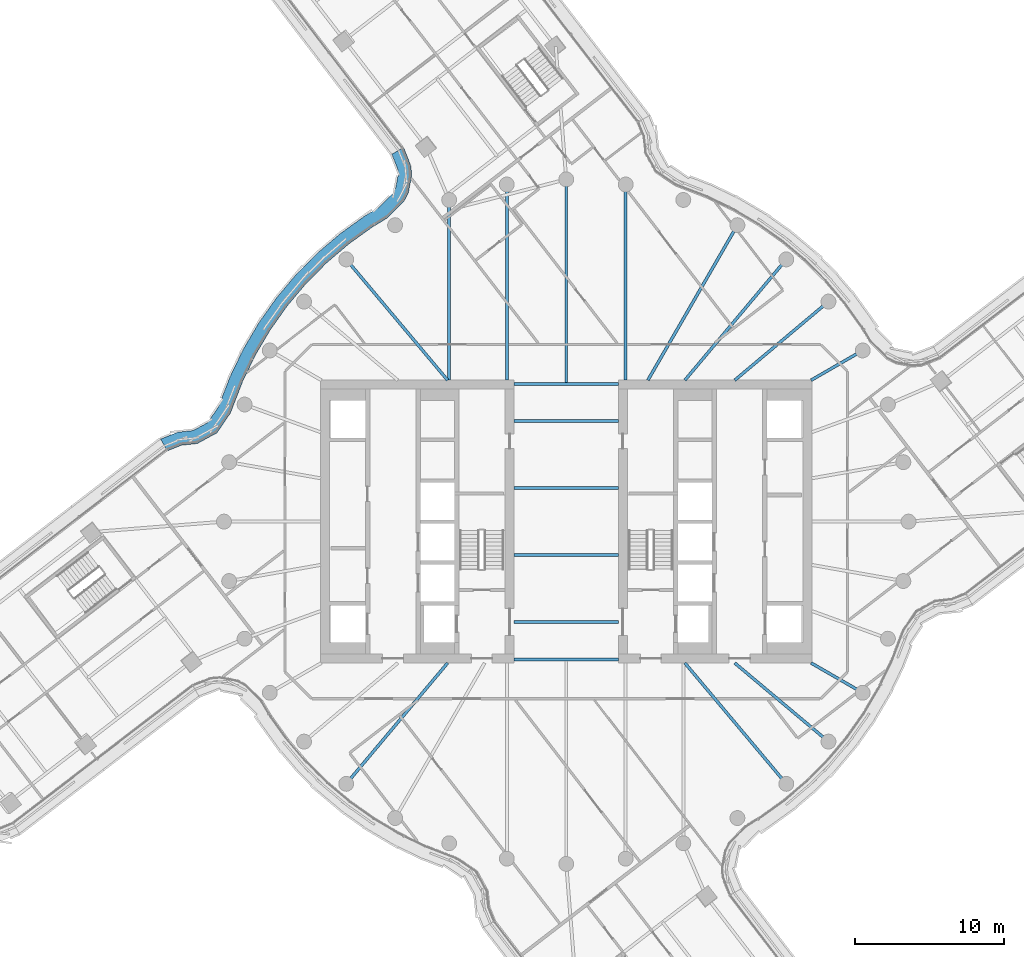
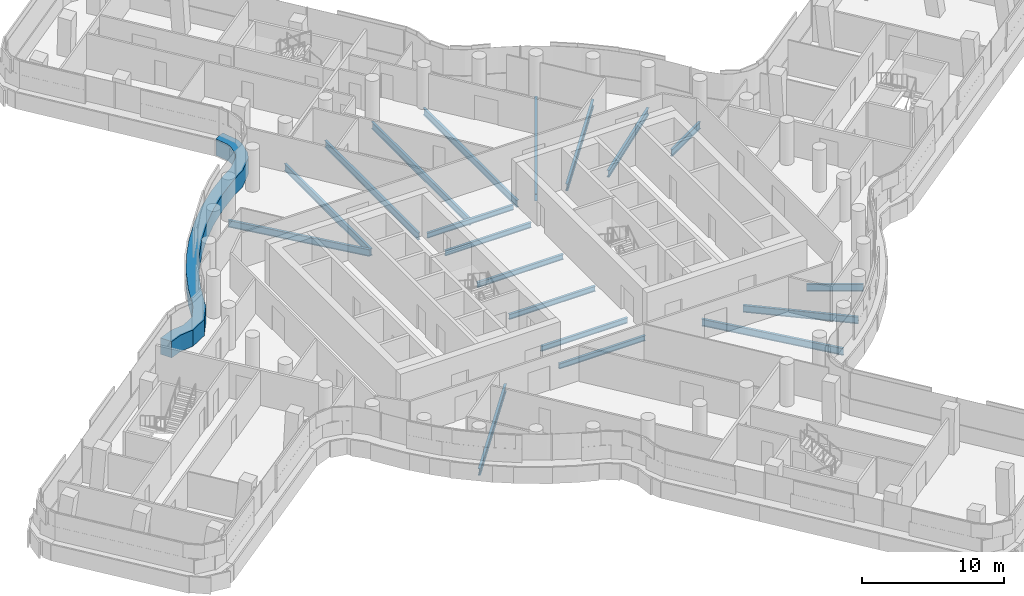
# One storey, part 10 of 33: 19 beams, 1 member, 1 element without a shape of its own.
"""IFC4 building model written with IfcOpenShell, lengths in metres."""

from ifc_helpers import new_model, si_unit, direction, frame, origin, origin_2d, place, context, subcontext, project, spatial, polyline, i_section, outline, extrude, material, layer, layer_set, material_profile, profile_set, type_object, element, aggregate, save


model = new_model("IFC4")

# Units and contexts
model_context = context("Model", 3, precision=1e-05, world=origin(), true_north=direction((0.0, 1.0)))
body_context = subcontext(model_context, "Body", "Model", "MODEL_VIEW")
ifc_project = project(units=[si_unit("LENGTHUNIT", "METRE"), si_unit("AREAUNIT", "SQUARE_METRE"), si_unit("VOLUMEUNIT", "CUBIC_METRE"), si_unit("PLANEANGLEUNIT", "RADIAN"), si_unit("MASSUNIT", "GRAM", prefix="KILO")], contexts=[model_context])

# Site, building, storey
site_placement = place(None, origin())
site = spatial("IfcSite", under=ifc_project, at=site_placement, CompositionType="ELEMENT")
building_placement = place(site_placement, origin())
building = spatial("IfcBuilding", under=site, at=building_placement, Name="Tamarind Cross Interchange Tower", CompositionType="ELEMENT")
storey_placement = place(building_placement, frame((0.0, 0.0, 170.5)))
storey = spatial("IfcBuildingStorey", under=building, at=storey_placement, Name="L42", CompositionType="ELEMENT", Elevation=170.5)

# Beams
ifc_material_1 = material(Name="Steel Q355B", Category="steel")
ifc_material_profile_1 = material_profile(ifc_material_1, i_section(OverallWidth=0.198974609375, OverallDepth=0.446044921875, WebThickness=0.008056640625, FlangeThickness=0.011962890625, FilletRadius=0.012939453125, at=origin_2d()), Name="HN 446x199x8x12")
ifc_profile_set_1 = profile_set([ifc_material_profile_1], Name="Steel Q355B")
beam_type_1 = type_object("IfcBeamType", Name="Composite beam HN 446x199x8x12 Q355B", PredefinedType="BEAM", material=ifc_profile_set_1)
for number, where, z_axis, x_axis, name in (
    (1, (-3.5, -2.25, -0.363037109375), (1.0, 0.0, 0.0), (0.0, 1.0, 0.0), "Beam G-2.25"),
    (2, (-3.5, -6.75, -0.363037109375), (1.0, 0.0, 0.0), (0.0, 1.0, 0.0), "Beam G-6.75"),
    (3, (-3.5, -9.25, -0.363037109375), (1.0, 0.0, 0.0), (0.0, 1.0, 0.0), "Beam G-9.25"),
    (4, (-3.5, 2.25, -0.363037109375), (1.0, 0.0, 0.0), (0.0, 1.0, 0.0), "Beam G2.25"),
    (5, (-3.5, 6.75, -0.363037109375), (1.0, 0.0, 0.0), (0.0, 1.0, 0.0), "Beam G6.75"),
    (6, (-3.5, 9.25, -0.363037109375), (1.0, 0.0, 0.0), (0.0, 1.0, 0.0), "Beam G9.25"),
):
    element("IfcBeam", number, at=place(storey_placement, frame(where, z_axis=z_axis, x_axis=x_axis)), inside=storey, type_object=beam_type_1, Name=name, PredefinedType="BEAM", context=body_context, shape_type="SweptSolid", body=[
        extrude(i_section(OverallWidth=0.198974609375, OverallDepth=0.446044921875, WebThickness=0.008056640625, FlangeThickness=0.011962890625, FilletRadius=0.012939453125, at=origin_2d()), origin(), (0.0, 0.0, 1.0), 7.0),
    ])
ifc_material_profile_2 = material_profile(ifc_material_1, i_section(OverallWidth=0.198974609375, OverallDepth=0.595947265625, WebThickness=0.010009765625, FlangeThickness=0.014892578125, FilletRadius=0.012939453125, at=origin_2d()), Name="HN 596x199x10x15")
ifc_profile_set_2 = profile_set([ifc_material_profile_2], Name="Steel Q355B")
beam_type_2 = type_object("IfcBeamType", Name="Composite beam HN 596x199x10x15 Q355B", PredefinedType="BEAM", material=ifc_profile_set_2)
beam_1_placement = place(storey_placement, frame((19.918701171875, 11.5, -0.43798828125), z_axis=(-0.866026010844, -0.49999894854, 0.0), x_axis=(0.49999894854, -0.866026010844, 0.0)))
element("IfcBeam", 7, at=beam_1_placement, inside=storey, type_object=beam_type_2, Name="Beam HH03", PredefinedType="BEAM", context=body_context, shape_type="SweptSolid", body=[
    extrude(i_section(OverallWidth=0.198974609375, OverallDepth=0.595947265625, WebThickness=0.010009765625, FlangeThickness=0.014892578125, FilletRadius=0.012939453125, at=origin_2d()), origin(), (0.0, 0.0, 1.0), 4.0),
])
beam_2_placement = place(storey_placement, frame((17.619140625, 14.7841796875, -0.43798828125), z_axis=(-0.766040580814, -0.642792212574, 0.0), x_axis=(0.642792212574, -0.766040580814, 0.0)))
element("IfcBeam", 8, at=beam_2_placement, inside=storey, type_object=beam_type_2, Name="Beam HH04", PredefinedType="BEAM", context=body_context, shape_type="SweptSolid", body=[
    extrude(i_section(OverallWidth=0.198974609375, OverallDepth=0.595947265625, WebThickness=0.010009765625, FlangeThickness=0.014892578125, FilletRadius=0.012939453125, at=origin_2d()), origin(), (0.0, 0.0, 1.0), 8.220703125),
])
beam_3_placement = place(storey_placement, frame((14.7841796875, 17.619140625, -0.43798828125), z_axis=(-0.642786293979, -0.766045547127, 0.0), x_axis=(0.766045547127, -0.642786293979, 0.0)))
element("IfcBeam", 9, at=beam_3_placement, inside=storey, type_object=beam_type_2, Name="Beam HH05", PredefinedType="BEAM", context=body_context, shape_type="SweptSolid", body=[
    extrude(i_section(OverallWidth=0.198974609375, OverallDepth=0.595947265625, WebThickness=0.010009765625, FlangeThickness=0.014892578125, FilletRadius=0.012939453125, at=origin_2d()), origin(), (0.0, 0.0, 1.0), 10.598876953125),
])
beam_4_placement = place(storey_placement, frame((11.5, 19.918701171875, -0.43798828125), z_axis=(-0.499993565836, -0.866029118519, 0.0), x_axis=(0.866029118519, -0.499993565836, 0.0)))
element("IfcBeam", 10, at=beam_4_placement, inside=storey, type_object=beam_type_2, Name="Beam HH06", PredefinedType="BEAM", context=body_context, shape_type="SweptSolid", body=[
    extrude(i_section(OverallWidth=0.198974609375, OverallDepth=0.595947265625, WebThickness=0.010009765625, FlangeThickness=0.014892578125, FilletRadius=0.012939453125, at=origin_2d()), origin(), (0.0, 0.0, 1.0), 12.030517578125),
])
beam_5_placement = place(storey_placement, frame((3.993896484375, 22.650634765625, -0.43798828125), z_axis=(0.0, -1.0, 0.0), x_axis=(1.0, 0.0, 0.0)))
element("IfcBeam", 11, at=beam_5_placement, inside=storey, type_object=beam_type_2, Name="Beam HH08", PredefinedType="BEAM", context=body_context, shape_type="SweptSolid", body=[
    extrude(i_section(OverallWidth=0.198974609375, OverallDepth=0.595947265625, WebThickness=0.010009765625, FlangeThickness=0.014892578125, FilletRadius=0.012939453125, at=origin_2d()), origin(), (0.0, 0.0, 1.0), 13.150634765625),
])
beam_6_placement = place(storey_placement, frame((0.0, 23.0, -0.43798828125), z_axis=(0.0, -1.0, 0.0), x_axis=(1.0, 0.0, 0.0)))
element("IfcBeam", 12, at=beam_6_placement, inside=storey, type_object=beam_type_2, Name="Beam HH09", PredefinedType="BEAM", context=body_context, shape_type="SweptSolid", body=[
    extrude(i_section(OverallWidth=0.198974609375, OverallDepth=0.595947265625, WebThickness=0.010009765625, FlangeThickness=0.014892578125, FilletRadius=0.012939453125, at=origin_2d()), origin(), (0.0, 0.0, 1.0), 13.75),
])
beam_7_placement = place(storey_placement, frame((-3.993896484375, 22.650634765625, -0.43798828125), z_axis=(0.0, -1.0, 0.0), x_axis=(1.0, 0.0, 0.0)))
element("IfcBeam", 13, at=beam_7_placement, inside=storey, type_object=beam_type_2, Name="Beam HH10", PredefinedType="BEAM", context=body_context, shape_type="SweptSolid", body=[
    extrude(i_section(OverallWidth=0.198974609375, OverallDepth=0.595947265625, WebThickness=0.010009765625, FlangeThickness=0.014892578125, FilletRadius=0.012939453125, at=origin_2d()), origin(), (0.0, 0.0, 1.0), 13.150634765625),
])
beam_8_placement = place(storey_placement, frame((-7.866455078125, 21.613037109375, -0.43798828125), z_axis=(0.0, -1.0, 0.0), x_axis=(1.0, 0.0, 0.0)))
element("IfcBeam", 14, at=beam_8_placement, inside=storey, type_object=beam_type_2, Name="Beam HH11", PredefinedType="BEAM", context=body_context, shape_type="SweptSolid", body=[
    extrude(i_section(OverallWidth=0.198974609375, OverallDepth=0.595947265625, WebThickness=0.010009765625, FlangeThickness=0.014892578125, FilletRadius=0.012939453125, at=origin_2d()), origin(), (0.0, 0.0, 1.0), 12.113037109375),
])
for number, where, z_axis, x_axis, name in (
    (15, (-14.7841796875, 17.619140625, -0.43798828125), (0.642786293979, -0.766045547127, 0.0), (0.766045547127, 0.642786293979, 0.0), "Beam HH13"),
    (16, (-14.7841796875, -17.619140625, -0.43798828125), (0.642786293979, 0.766045547127, 0.0), (-0.766045547127, 0.642786293979, 0.0), "Beam HH23"),
    (17, (14.7841796875, -17.619140625, -0.43798828125), (-0.642786293979, 0.766045547127, 0.0), (-0.766045547127, -0.642786293979, 0.0), "Beam HH31"),
):
    element("IfcBeam", number, at=place(storey_placement, frame(where, z_axis=z_axis, x_axis=x_axis)), inside=storey, type_object=beam_type_2, Name=name, PredefinedType="BEAM", context=body_context, shape_type="SweptSolid", body=[
        extrude(i_section(OverallWidth=0.198974609375, OverallDepth=0.595947265625, WebThickness=0.010009765625, FlangeThickness=0.014892578125, FilletRadius=0.012939453125, at=origin_2d()), origin(), (0.0, 0.0, 1.0), 10.598876953125),
    ])
beam_9_placement = place(storey_placement, frame((17.619140625, -14.7841796875, -0.43798828125), z_axis=(-0.766040580814, 0.642792212574, 0.0), x_axis=(-0.642792212574, -0.766040580814, 0.0)))
element("IfcBeam", 18, at=beam_9_placement, inside=storey, type_object=beam_type_2, Name="Beam HH32", PredefinedType="BEAM", context=body_context, shape_type="SweptSolid", body=[
    extrude(i_section(OverallWidth=0.198974609375, OverallDepth=0.595947265625, WebThickness=0.010009765625, FlangeThickness=0.014892578125, FilletRadius=0.012939453125, at=origin_2d()), origin(), (0.0, 0.0, 1.0), 8.220703125),
])
beam_10_placement = place(storey_placement, frame((19.918701171875, -11.5, -0.43798828125), z_axis=(-0.866026010844, 0.49999894854, 0.0), x_axis=(-0.49999894854, -0.866026010844, 0.0)))
element("IfcBeam", 19, at=beam_10_placement, inside=storey, type_object=beam_type_2, Name="Beam HH33", PredefinedType="BEAM", context=body_context, shape_type="SweptSolid", body=[
    extrude(i_section(OverallWidth=0.198974609375, OverallDepth=0.595947265625, WebThickness=0.010009765625, FlangeThickness=0.014892578125, FilletRadius=0.012939453125, at=origin_2d()), origin(), (0.0, 0.0, 1.0), 4.0),
])

# Curtain wall, member
ifc_material_2 = material(Name="Aluminium 6063-T6", Category="aluminium")
ifc_layer = layer(ifc_material_2, 0.159912109375)
ifc_layer_set = layer_set([ifc_layer], Name="Aluminium 6063-T6")
curtain_wall_type = type_object("IfcCurtainWallType", Name="Office curtain wall, 9.0 m bays", PredefinedType="NOTDEFINED", material=ifc_layer_set)
curtain_wall_placement = place(storey_placement, origin())
curtain_wall = element("IfcCurtainWall", 20, at=curtain_wall_placement, inside=storey, type_object=curtain_wall_type, Name="CWS-L42-06", PredefinedType="NOTDEFINED")
ifc_material_3 = material(Name="Aluminium and insulated spandrel panel", Category="aluminium")
member_type = type_object("IfcMemberType", Name="Floor-edge blade transom", PredefinedType="USERDEFINED", material=ifc_material_3)
member_placement = place(storey_placement, origin())
member = element("IfcMember", 21, at=member_placement, type_object=member_type, Name="CWT-L42-06", ObjectType="TRANSOM", PredefinedType="USERDEFINED", context=body_context, shape_type="SweptSolid", body=[
    extrude(outline(polyline([(-10.9267578125, 25.139892578125), (-10.440673828125, 23.904296875), (-10.382080078125, 23.27734375), (-10.604248046875, 22.112548828125), (-10.891357421875, 21.547607421875), (-12.0166015625, 20.404541015625), (-13.045166015625, 19.781494140625), (-14.634521484375, 18.636474609375), (-16.12353515625, 17.3642578125), (-17.50244140625, 15.973388671875), (-18.76171875, 14.4736328125), (-19.892822265625, 12.874755859375), (-20.88818359375, 11.188232421875), (-21.74072265625, 9.424560546875), (-22.569091796875, 7.288818359375), (-23.468017578125, 5.9638671875), (-24.792724609375, 5.24267578125), (-25.8759765625, 5.12744140625), (-26.8076171875, 4.75390625), (-27.25830078125, 5.542724609375), (-26.09521484375, 6.009033203125), (-25.06591796875, 6.11865234375), (-24.090087890625, 6.64990234375), (-23.371337890625, 7.70947265625), (-22.56689453125, 9.783935546875), (-21.68212890625, 11.613525390625), (-20.64892578125, 13.3642578125), (-19.474853515625, 15.023681640625), (-18.167724609375, 16.580810546875), (-16.736572265625, 18.0244140625), (-15.19091796875, 19.344970703125), (-13.542236328125, 20.53271484375), (-12.5791015625, 21.1162109375), (-11.63037109375, 22.079833984375), (-11.46435546875, 22.40673828125), (-11.2900390625, 23.320556640625), (-11.324951171875, 23.693603515625), (-11.718017578125, 24.69287109375), (-10.9267578125, 25.139892578125)])), origin(), (0.0, 0.0, 1.0), 1.39990234375),
])
aggregate(curtain_wall, [member])

save(model, "model.ifc")
